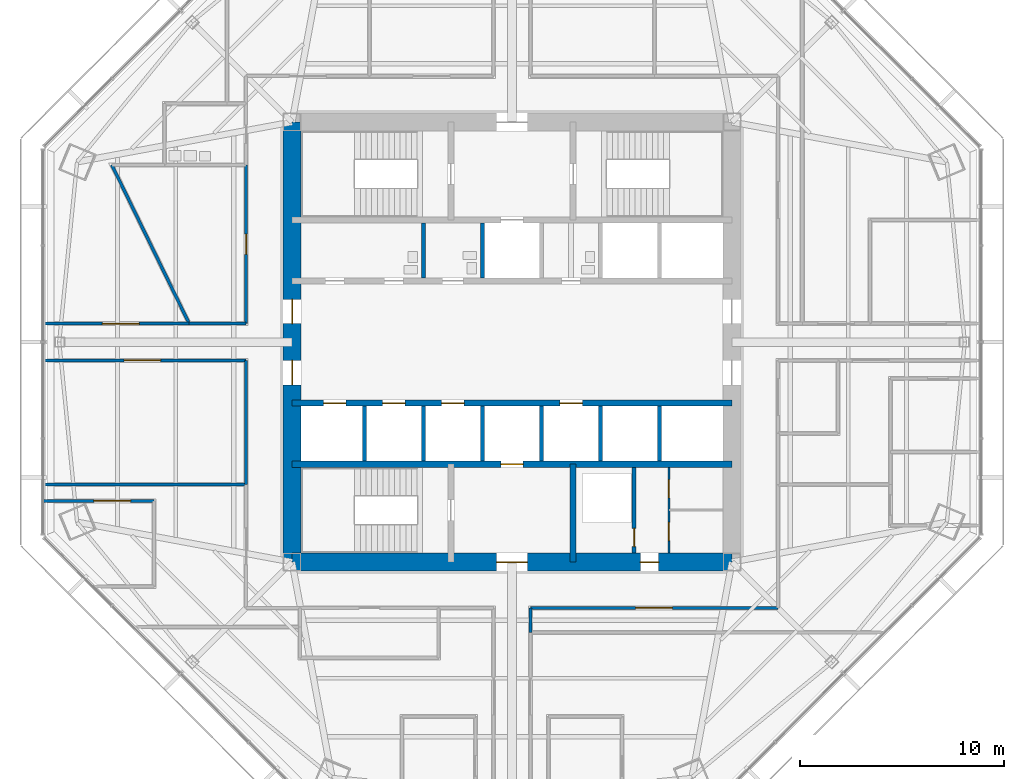
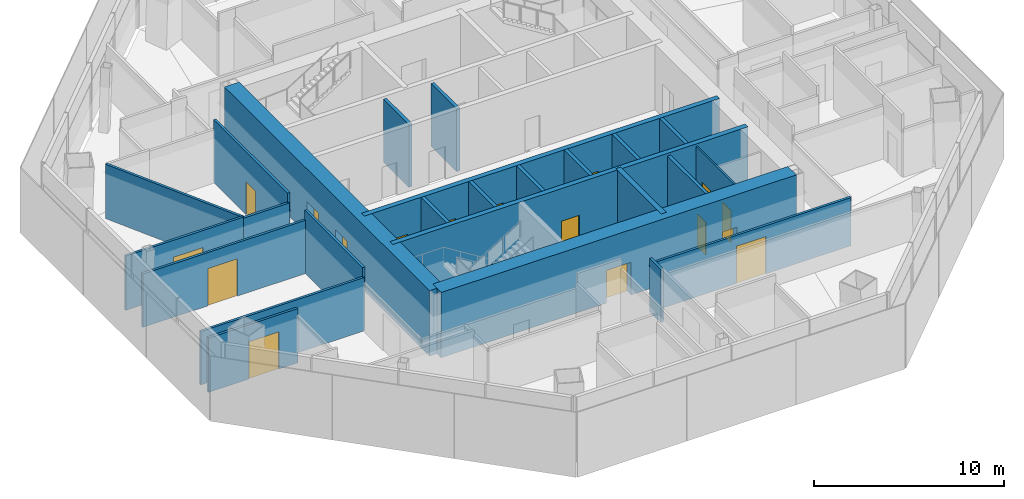
# One storey, part 9 of 15: 25 walls, 17 doors, 17 openings.
"""IFC4 building model written with IfcOpenShell, lengths in metres."""

from ifc_helpers import new_model, si_unit, direction, frame, frame_2d, origin, place, context, subcontext, project, spatial, rectangle, extrude, material, layer, layer_set, type_object, element, fill, save


model = new_model("IFC4")

# Units and contexts
model_context = context("Model", 3, precision=1e-05, world=origin(), true_north=direction((0.0, 1.0)))
body_context = subcontext(model_context, "Body", "Model", "MODEL_VIEW")
ifc_project = project(units=[si_unit("LENGTHUNIT", "METRE"), si_unit("AREAUNIT", "SQUARE_METRE"), si_unit("VOLUMEUNIT", "CUBIC_METRE"), si_unit("PLANEANGLEUNIT", "RADIAN"), si_unit("MASSUNIT", "GRAM", prefix="KILO")], contexts=[model_context])

# Site, building, storey
site_placement = place(None, origin())
site = spatial("IfcSite", under=ifc_project, at=site_placement, CompositionType="ELEMENT")
building_placement = place(site_placement, origin())
building = spatial("IfcBuilding", under=site, at=building_placement, Name="Mashrafa Tower", CompositionType="ELEMENT")
storey_placement = place(building_placement, frame((0.0, 0.0, 176.39990234375)))
storey = spatial("IfcBuildingStorey", under=building, at=storey_placement, Name="L40", CompositionType="ELEMENT", Elevation=176.39990234375)

# Wall, opening, door
ifc_material_1 = material(Name="Concrete masonry unit", Category="masonry")
ifc_layer_1 = layer(ifc_material_1, 0.199951171875)
ifc_layer_set_1 = layer_set([ifc_layer_1], Name="Blockwork wall 200 2 hr")
wall_type_1 = type_object("IfcWallType", Name="Blockwork wall 200 2 hr", PredefinedType="PARTITIONING", material=ifc_layer_set_1)
wall_1_placement = place(storey_placement, frame((6.0, -10.35009765625, 0.0), z_axis=(0.0, 0.0, 1.0), x_axis=(0.0, 1.0, 0.0)))
wall_1 = element("IfcWall", 1, at=wall_1_placement, inside=storey, type_object=wall_type_1, Name="Riser enclosure wall L40", PredefinedType="PARTITIONING", context=body_context, shape_type="SweptSolid", body=[
    extrude(rectangle(XDim=4.2001953125, YDim=0.199951171875, at=frame_2d((2.10009765625, 0.0))), origin(), (0.0, 0.0, 1.0), 4.03515625),
])
opening_1_placement = place(wall_1_placement, frame((0.300048828125, 0.0, 0.0)))
opening_1 = element("IfcOpeningElement", 2, at=opening_1_placement, cuts=wall_1, Name="Opening 40.034", PredefinedType="OPENING", context=body_context, shape_type="SweptSolid", body=[
    extrude(rectangle(XDim=0.89990234375, YDim=2.10009765625, at=frame_2d((0.449951171875, 1.050048828125))), frame((0.0, 0.10986328125, 0.0), z_axis=(0.0, -1.0, 0.0), x_axis=(1.0, 0.0, 0.0)), (0.0, 0.0, 1.0), 0.219970703125),
])
ifc_material_2 = material(Name="Steel door", Category="steel")
door_type_1 = type_object("IfcDoorType", Name="Service door 900 x 2100 90 min", OperationType="USERDEFINED", PredefinedType="DOOR", material=ifc_material_2)
door_1_placement = place(opening_1_placement, origin())
door_1 = element("IfcDoor", 3, at=door_1_placement, inside=storey, type_object=door_type_1, Name="Riser door L40", OperationType="SINGLE_SWING_LEFT", OverallHeight=2.10009765625, OverallWidth=0.89990234375, PredefinedType="DOOR", context=body_context, shape_type="SweptSolid", body=[
    extrude(rectangle(XDim=0.89990234375, YDim=2.10009765625, at=frame_2d((0.449951171875, 1.050048828125))), frame((0.0, 0.02490234375, 0.0), z_axis=(0.0, -1.0, 0.0), x_axis=(1.0, 0.0, 0.0)), (0.0, 0.0, 1.0), 0.050048828125),
])
fill(opening_1, door_1)

# Wall, openings, doors
ifc_material_3 = material(Name="Concrete C60/75", Category="concrete")
ifc_layer_2 = layer(ifc_material_3, 0.300048828125)
ifc_layer_set_2 = layer_set([ifc_layer_2], Name="Core wall 300 C60/75")
wall_type_2 = type_object("IfcWallType", Name="Core wall 300 C60/75", PredefinedType="SOLIDWALL", material=ifc_layer_set_2)
wall_2_placement = place(storey_placement, frame((-10.800048828125, -3.0, 0.0), z_axis=(0.0, 0.0, 1.0), x_axis=(1.0, 0.0, 0.0)))
wall_2 = element("IfcWall", 4, at=wall_2_placement, inside=storey, type_object=wall_type_2, Name="Core wall CH-S L40", PredefinedType="SOLIDWALL", context=body_context, shape_type="SweptSolid", body=[
    extrude(rectangle(XDim=21.60009765625, YDim=0.300048828125, at=frame_2d((10.800048828125, 0.0))), origin(), (0.0, 0.0, 1.0), 4.2001953125),
])
opening_2_placement = place(wall_2_placement, frame((1.550048828125, 0.0, 0.0)))
opening_2 = element("IfcOpeningElement", 5, at=opening_2_placement, cuts=wall_2, Name="Opening 40.B1", PredefinedType="OPENING", context=body_context, shape_type="SweptSolid", body=[
    extrude(rectangle(XDim=1.10009765625, YDim=2.10009765625, at=frame_2d((0.550048828125, 1.050048828125))), frame((0.0, 0.159912109375, 0.0), z_axis=(0.0, -1.0, 0.0), x_axis=(1.0, 0.0, 0.0)), (0.0, 0.0, 1.0), 0.320068359375),
])
opening_3_placement = place(wall_2_placement, frame((4.449951171875, 0.0, 0.0)))
opening_3 = element("IfcOpeningElement", 6, at=opening_3_placement, cuts=wall_2, Name="Opening 40.B2", PredefinedType="OPENING", context=body_context, shape_type="SweptSolid", body=[
    extrude(rectangle(XDim=1.10009765625, YDim=2.10009765625, at=frame_2d((0.550048828125, 1.050048828125))), frame((0.0, 0.159912109375, 0.0), z_axis=(0.0, -1.0, 0.0), x_axis=(1.0, 0.0, 0.0)), (0.0, 0.0, 1.0), 0.320068359375),
])
opening_4_placement = place(wall_2_placement, frame((7.35009765625, 0.0, 0.0)))
opening_4 = element("IfcOpeningElement", 7, at=opening_4_placement, cuts=wall_2, Name="Opening 40.B3", PredefinedType="OPENING", context=body_context, shape_type="SweptSolid", body=[
    extrude(rectangle(XDim=1.10009765625, YDim=2.10009765625, at=frame_2d((0.550048828125, 1.050048828125))), frame((0.0, 0.159912109375, 0.0), z_axis=(0.0, -1.0, 0.0), x_axis=(1.0, 0.0, 0.0)), (0.0, 0.0, 1.0), 0.320068359375),
])
opening_5_placement = place(wall_2_placement, frame((13.14990234375, 0.0, 0.0)))
opening_5 = element("IfcOpeningElement", 8, at=opening_5_placement, cuts=wall_2, Name="Opening 40.B4", PredefinedType="OPENING", context=body_context, shape_type="SweptSolid", body=[
    extrude(rectangle(XDim=1.10009765625, YDim=2.10009765625, at=frame_2d((0.550048828125, 1.050048828125))), frame((0.0, 0.159912109375, 0.0), z_axis=(0.0, -1.0, 0.0), x_axis=(1.0, 0.0, 0.0)), (0.0, 0.0, 1.0), 0.320068359375),
])
ifc_material_4 = material(Name="Steel door", Category="steel")
door_type_2 = type_object("IfcDoorType", Name="Lift landing door 1100 x 2100 90 min", OperationType="DOUBLE_DOOR_SLIDING", PredefinedType="DOOR", material=ifc_material_4)
door_2_placement = place(opening_2_placement, origin())
door_2 = element("IfcDoor", 9, at=door_2_placement, inside=storey, type_object=door_type_2, Name="Lift landing door B1 L40", OperationType="DOUBLE_DOOR_SLIDING", OverallHeight=2.10009765625, OverallWidth=1.10009765625, PredefinedType="DOOR", context=body_context, shape_type="SweptSolid", body=[
    extrude(rectangle(XDim=1.10009765625, YDim=2.10009765625, at=frame_2d((0.550048828125, 1.050048828125))), frame((0.0, 0.02490234375, 0.0), z_axis=(0.0, -1.0, 0.0), x_axis=(1.0, 0.0, 0.0)), (0.0, 0.0, 1.0), 0.050048828125),
])
fill(opening_2, door_2)
door_3_placement = place(opening_3_placement, origin())
door_3 = element("IfcDoor", 10, at=door_3_placement, inside=storey, type_object=door_type_2, Name="Lift landing door B2 L40", OperationType="DOUBLE_DOOR_SLIDING", OverallHeight=2.10009765625, OverallWidth=1.10009765625, PredefinedType="DOOR", context=body_context, shape_type="SweptSolid", body=[
    extrude(rectangle(XDim=1.10009765625, YDim=2.10009765625, at=frame_2d((0.550048828125, 1.050048828125))), frame((0.0, 0.02490234375, 0.0), z_axis=(0.0, -1.0, 0.0), x_axis=(1.0, 0.0, 0.0)), (0.0, 0.0, 1.0), 0.050048828125),
])
fill(opening_3, door_3)
door_4_placement = place(opening_4_placement, origin())
door_4 = element("IfcDoor", 11, at=door_4_placement, inside=storey, type_object=door_type_2, Name="Lift landing door B3 L40", OperationType="DOUBLE_DOOR_SLIDING", OverallHeight=2.10009765625, OverallWidth=1.10009765625, PredefinedType="DOOR", context=body_context, shape_type="SweptSolid", body=[
    extrude(rectangle(XDim=1.10009765625, YDim=2.10009765625, at=frame_2d((0.550048828125, 1.050048828125))), frame((0.0, 0.02490234375, 0.0), z_axis=(0.0, -1.0, 0.0), x_axis=(1.0, 0.0, 0.0)), (0.0, 0.0, 1.0), 0.050048828125),
])
fill(opening_4, door_4)
door_5_placement = place(opening_5_placement, origin())
door_5 = element("IfcDoor", 12, at=door_5_placement, inside=storey, type_object=door_type_2, Name="Lift landing door B4 L40", OperationType="DOUBLE_DOOR_SLIDING", OverallHeight=2.10009765625, OverallWidth=1.10009765625, PredefinedType="DOOR", context=body_context, shape_type="SweptSolid", body=[
    extrude(rectangle(XDim=1.10009765625, YDim=2.10009765625, at=frame_2d((0.550048828125, 1.050048828125))), frame((0.0, 0.02490234375, 0.0), z_axis=(0.0, -1.0, 0.0), x_axis=(1.0, 0.0, 0.0)), (0.0, 0.0, 1.0), 0.050048828125),
])
fill(opening_5, door_5)

# Wall, opening, door
wall_3_placement = place(storey_placement, frame((-10.800048828125, -6.0, 0.0), z_axis=(0.0, 0.0, 1.0), x_axis=(1.0, 0.0, 0.0)))
wall_3 = element("IfcWall", 13, at=wall_3_placement, inside=storey, type_object=wall_type_2, Name="Core wall CB-S L40", PredefinedType="SOLIDWALL", context=body_context, shape_type="SweptSolid", body=[
    extrude(rectangle(XDim=21.60009765625, YDim=0.300048828125, at=frame_2d((10.800048828125, 0.0))), origin(), (0.0, 0.0, 1.0), 4.2001953125),
])
opening_6_placement = place(wall_3_placement, frame((10.25, 0.0, 0.0)))
opening_6 = element("IfcOpeningElement", 14, at=opening_6_placement, cuts=wall_3, Name="Opening 40.F2", PredefinedType="OPENING", context=body_context, shape_type="SweptSolid", body=[
    extrude(rectangle(XDim=1.10009765625, YDim=2.10009765625, at=frame_2d((0.550048828125, 1.050048828125))), frame((0.0, 0.159912109375, 0.0), z_axis=(0.0, -1.0, 0.0), x_axis=(1.0, 0.0, 0.0)), (0.0, 0.0, 1.0), 0.320068359375),
])
door_6_placement = place(opening_6_placement, origin())
door_6 = element("IfcDoor", 15, at=door_6_placement, inside=storey, type_object=door_type_2, Name="Lift landing door F2 L40", OperationType="DOUBLE_DOOR_SLIDING", OverallHeight=2.10009765625, OverallWidth=1.10009765625, PredefinedType="DOOR", context=body_context, shape_type="SweptSolid", body=[
    extrude(rectangle(XDim=1.10009765625, YDim=2.10009765625, at=frame_2d((0.550048828125, 1.050048828125))), frame((0.0, 0.02490234375, 0.0), z_axis=(0.0, -1.0, 0.0), x_axis=(1.0, 0.0, 0.0)), (0.0, 0.0, 1.0), 0.050048828125),
])
fill(opening_6, door_6)

# Wall
wall_4_placement = place(storey_placement, frame((3.0, -6.0, 0.0), z_axis=(0.0, 0.0, 1.0), x_axis=(0.0, -1.0, 0.0)))
element("IfcWall", 16, at=wall_4_placement, inside=storey, type_object=wall_type_2, Name="Core wall CX-SE L40", PredefinedType="SOLIDWALL", context=body_context, shape_type="SweptSolid", body=[
    extrude(rectangle(XDim=4.800048828125, YDim=0.300048828125, at=frame_2d((2.39990234375, 0.0))), origin(), (0.0, 0.0, 1.0), 4.2001953125),
])

# Wall, openings, doors
ifc_material_5 = material(Name="Concrete C60/75", Category="concrete")
ifc_layer_3 = layer(ifc_material_5, 0.89990234375)
ifc_layer_set_3 = layer_set([ifc_layer_3], Name="Core wall 900 C60/75")
wall_type_3 = type_object("IfcWallType", Name="Core wall 900 C60/75", PredefinedType="SOLIDWALL", material=ifc_layer_set_3)
wall_5_placement = place(storey_placement, frame((-10.800048828125, -10.800048828125, 0.0), z_axis=(0.0, 0.0, 1.0), x_axis=(1.0, 0.0, 0.0)))
wall_5 = element("IfcWall", 17, at=wall_5_placement, inside=storey, type_object=wall_type_3, Name="Core wall CW-S L40", PredefinedType="SOLIDWALL", context=body_context, shape_type="SweptSolid", body=[
    extrude(rectangle(XDim=21.60009765625, YDim=0.89990234375, at=frame_2d((10.800048828125, 0.0))), origin(), (0.0, 0.0, 1.0), 4.2001953125),
])
opening_7_placement = place(wall_5_placement, frame((10.050048828125, 0.0, 0.0)))
opening_7 = element("IfcOpeningElement", 18, at=opening_7_placement, cuts=wall_5, Name="Opening 40.029", PredefinedType="OPENING", context=body_context, shape_type="SweptSolid", body=[
    extrude(rectangle(XDim=1.5, YDim=2.10009765625, at=frame_2d((0.75, 1.050048828125))), frame((0.0, 0.4599609375, 0.0), z_axis=(0.0, -1.0, 0.0), x_axis=(1.0, 0.0, 0.0)), (0.0, 0.0, 1.0), 0.919921875),
])
opening_8_placement = place(wall_5_placement, frame((17.10009765625, 0.0, 0.0)))
opening_8 = element("IfcOpeningElement", 19, at=opening_8_placement, cuts=wall_5, Name="Opening 40.033", PredefinedType="OPENING", context=body_context, shape_type="SweptSolid", body=[
    extrude(rectangle(XDim=0.89990234375, YDim=2.10009765625, at=frame_2d((0.449951171875, 1.050048828125))), frame((0.0, 0.4599609375, 0.0), z_axis=(0.0, -1.0, 0.0), x_axis=(1.0, 0.0, 0.0)), (0.0, 0.0, 1.0), 0.919921875),
])
ifc_material_6 = material(Name="Steel door", Category="steel")
door_type_3 = type_object("IfcDoorType", Name="Lobby door pair 1500 x 2100 90 min", OperationType="DOUBLE_DOOR_SINGLE_SWING", PredefinedType="DOOR", material=ifc_material_6)
door_7_placement = place(opening_7_placement, origin())
door_7 = element("IfcDoor", 20, at=door_7_placement, inside=storey, type_object=door_type_3, Name="Fire-fighting lobby F2 door L40", OperationType="DOUBLE_DOOR_SINGLE_SWING", OverallHeight=2.10009765625, OverallWidth=1.5, PredefinedType="DOOR", context=body_context, shape_type="SweptSolid", body=[
    extrude(rectangle(XDim=1.5, YDim=2.10009765625, at=frame_2d((0.75, 1.050048828125))), frame((0.0, 0.02490234375, 0.0), z_axis=(0.0, -1.0, 0.0), x_axis=(1.0, 0.0, 0.0)), (0.0, 0.0, 1.0), 0.050048828125),
])
fill(opening_7, door_7)
door_8_placement = place(opening_8_placement, frame((0.89990234375, 0.0, 0.0), z_axis=(0.0, 0.0, 1.0), x_axis=(-1.0, 0.0, 0.0)))
door_8 = element("IfcDoor", 21, at=door_8_placement, inside=storey, type_object=door_type_1, Name="Services Lobby L40 door", OperationType="SINGLE_SWING_LEFT", OverallHeight=2.10009765625, OverallWidth=0.89990234375, PredefinedType="DOOR", context=body_context, shape_type="SweptSolid", body=[
    extrude(rectangle(XDim=0.89990234375, YDim=2.10009765625, at=frame_2d((0.449951171875, 1.050048828125))), frame((0.0, 0.02490234375, 0.0), z_axis=(0.0, -1.0, 0.0), x_axis=(1.0, 0.0, 0.0)), (0.0, 0.0, 1.0), 0.050048828125),
])
fill(opening_8, door_8)

wall_6_placement = place(storey_placement, frame((-10.800048828125, 10.800048828125, 0.0), z_axis=(0.0, 0.0, 1.0), x_axis=(0.0, -1.0, 0.0)))
wall_6 = element("IfcWall", 22, at=wall_6_placement, inside=storey, type_object=wall_type_3, Name="Core wall CW-W L40", PredefinedType="SOLIDWALL", context=body_context, shape_type="SweptSolid", body=[
    extrude(rectangle(XDim=21.60009765625, YDim=0.89990234375, at=frame_2d((10.800048828125, 0.0))), origin(), (0.0, 0.0, 1.0), 4.2001953125),
])
opening_9_placement = place(wall_6_placement, frame((8.699951171875, 0.0, 0.0)))
opening_9 = element("IfcOpeningElement", 23, at=opening_9_placement, cuts=wall_6, Name="Opening 40.025", PredefinedType="OPENING", context=body_context, shape_type="SweptSolid", body=[
    extrude(rectangle(XDim=1.199951171875, YDim=2.10009765625, at=frame_2d((0.60009765625, 1.050048828125))), frame((0.0, 0.4599609375, 0.0), z_axis=(0.0, -1.0, 0.0), x_axis=(1.0, 0.0, 0.0)), (0.0, 0.0, 1.0), 0.919921875),
])
opening_10_placement = place(wall_6_placement, frame((11.699951171875, 0.0, 0.0)))
opening_10 = element("IfcOpeningElement", 24, at=opening_10_placement, cuts=wall_6, Name="Opening 40.027", PredefinedType="OPENING", context=body_context, shape_type="SweptSolid", body=[
    extrude(rectangle(XDim=1.199951171875, YDim=2.10009765625, at=frame_2d((0.60009765625, 1.050048828125))), frame((0.0, 0.4599609375, 0.0), z_axis=(0.0, -1.0, 0.0), x_axis=(1.0, 0.0, 0.0)), (0.0, 0.0, 1.0), 0.919921875),
])
ifc_material_7 = material(Name="Steel door", Category="steel")
door_type_4 = type_object("IfcDoorType", Name="Lift hall door 1200 x 2100 90 min", OperationType="USERDEFINED", PredefinedType="DOOR", material=ifc_material_7)
door_9_placement = place(opening_9_placement, frame((1.199951171875, 0.0, 0.0), z_axis=(0.0, 0.0, 1.0), x_axis=(-1.0, 0.0, 0.0)))
door_9 = element("IfcDoor", 25, at=door_9_placement, inside=storey, type_object=door_type_4, Name="Lift hall door west L40", OperationType="SINGLE_SWING_RIGHT", OverallHeight=2.10009765625, OverallWidth=1.199951171875, PredefinedType="DOOR", context=body_context, shape_type="SweptSolid", body=[
    extrude(rectangle(XDim=1.199951171875, YDim=2.10009765625, at=frame_2d((0.60009765625, 1.050048828125))), frame((0.0, 0.02490234375, 0.0), z_axis=(0.0, -1.0, 0.0), x_axis=(1.0, 0.0, 0.0)), (0.0, 0.0, 1.0), 0.050048828125),
])
fill(opening_9, door_9)
door_10_placement = place(opening_10_placement, frame((1.199951171875, 0.0, 0.0), z_axis=(0.0, 0.0, 1.0), x_axis=(-1.0, 0.0, 0.0)))
door_10 = element("IfcDoor", 26, at=door_10_placement, inside=storey, type_object=door_type_4, Name="Lift hall door west L40", OperationType="SINGLE_SWING_LEFT", OverallHeight=2.10009765625, OverallWidth=1.199951171875, PredefinedType="DOOR", context=body_context, shape_type="SweptSolid", body=[
    extrude(rectangle(XDim=1.199951171875, YDim=2.10009765625, at=frame_2d((0.60009765625, 1.050048828125))), frame((0.0, 0.02490234375, 0.0), z_axis=(0.0, -1.0, 0.0), x_axis=(1.0, 0.0, 0.0)), (0.0, 0.0, 1.0), 0.050048828125),
])
fill(opening_10, door_10)

# Wall, opening, door
ifc_material_8 = material(Name="Gypsum board on steel studs", Category="steel")
ifc_layer_4 = layer(ifc_material_8, 0.14990234375)
ifc_layer_set_4 = layer_set([ifc_layer_4], Name="Corridor partition 150 1 hr")
wall_type_4 = type_object("IfcWallType", Name="Corridor partition 150 1 hr", PredefinedType="PARTITIONING", material=ifc_layer_set_4)
wall_7_placement = place(storey_placement, frame((-13.050048828125, 8.700927734375, 0.0), z_axis=(0.0, 0.0, 1.0), x_axis=(0.0, -1.0, 0.0)))
wall_7 = element("IfcWall", 27, at=wall_7_placement, inside=storey, type_object=wall_type_4, Name="Corridor wall L40-001", PredefinedType="PARTITIONING", context=body_context, shape_type="SweptSolid", body=[
    extrude(rectangle(XDim=7.801025390625, YDim=0.14990234375, at=frame_2d((3.900390625, 0.0))), origin(), (0.0, 0.0, 1.0), 4.03515625),
])
opening_11_placement = place(wall_7_placement, frame((3.400390625, 0.0, 0.0)))
opening_11 = element("IfcOpeningElement", 28, at=opening_11_placement, cuts=wall_7, Name="Opening 40.001", PredefinedType="OPENING", context=body_context, shape_type="SweptSolid", body=[
    extrude(rectangle(XDim=1.0, YDim=2.10009765625, at=frame_2d((0.5, 1.050048828125))), frame((0.0, 0.0849609375, 0.0), z_axis=(0.0, -1.0, 0.0), x_axis=(1.0, 0.0, 0.0)), (0.0, 0.0, 1.0), 0.169921875),
])
ifc_material_9 = material(Name="Timber door", Category="wood")
door_type_5 = type_object("IfcDoorType", Name="Door 1000 x 2100", OperationType="USERDEFINED", PredefinedType="DOOR", material=ifc_material_9)
door_11_placement = place(opening_11_placement, frame((1.0, 0.0, 0.0), z_axis=(0.0, 0.0, 1.0), x_axis=(-1.0, 0.0, 0.0)))
door_11 = element("IfcDoor", 29, at=door_11_placement, inside=storey, type_object=door_type_5, Name="Musallah Prayer Room 40 door", OperationType="SINGLE_SWING_LEFT", OverallHeight=2.10009765625, OverallWidth=1.0, PredefinedType="DOOR", context=body_context, shape_type="SweptSolid", body=[
    extrude(rectangle(XDim=1.0, YDim=2.10009765625, at=frame_2d((0.5, 1.050048828125))), frame((0.0, 0.02490234375, 0.0), z_axis=(0.0, -1.0, 0.0), x_axis=(1.0, 0.0, 0.0)), (0.0, 0.0, 1.0), 0.050048828125),
])
fill(opening_11, door_11)

# Wall
wall_8_placement = place(storey_placement, frame((-13.050048828125, 0.89990234375, 0.0), z_axis=(0.0, 0.0, 1.0), x_axis=(-1.0, 0.0, 0.0)))
element("IfcWall", 30, at=wall_8_placement, inside=storey, type_object=wall_type_4, Name="Corridor wall L40-002", PredefinedType="PARTITIONING", context=body_context, shape_type="SweptSolid", body=[
    extrude(rectangle(XDim=2.796630859375, YDim=0.14990234375, at=frame_2d((1.3984375, 0.0))), origin(), (0.0, 0.0, 1.0), 3.42578125),
])

# Wall, opening, door
wall_9_placement = place(storey_placement, frame((-15.844482421875, 0.89990234375, 0.0), z_axis=(0.0, 0.0, 1.0), x_axis=(-1.0, 0.0, 0.0)))
wall_9 = element("IfcWall", 31, at=wall_9_placement, inside=storey, type_object=wall_type_4, Name="Corridor wall L40-015", PredefinedType="PARTITIONING", context=body_context, shape_type="SweptSolid", body=[
    extrude(rectangle(XDim=7.1640625, YDim=0.14990234375, at=frame_2d((3.58203125, 0.0))), origin(), (0.0, 0.0, 1.0), 3.49169921875),
])
opening_12_placement = place(wall_9_placement, frame((2.465087890625, 0.0, 0.0)))
opening_12 = element("IfcOpeningElement", 32, at=opening_12_placement, cuts=wall_9, Name="Opening 40.015", PredefinedType="OPENING", context=body_context, shape_type="SweptSolid", body=[
    extrude(rectangle(XDim=1.800048828125, YDim=2.39990234375, at=frame_2d((0.89990234375, 1.199951171875))), frame((0.0, 0.0849609375, 0.0), z_axis=(0.0, -1.0, 0.0), x_axis=(1.0, 0.0, 0.0)), (0.0, 0.0, 1.0), 0.169921875),
])
ifc_material_10 = material(Name="Timber door", Category="wood")
door_type_6 = type_object("IfcDoorType", Name="Door pair 1800 x 2400", OperationType="DOUBLE_DOOR_SINGLE_SWING", PredefinedType="DOOR", material=ifc_material_10)
door_12_placement = place(opening_12_placement, frame((1.800048828125, 0.0, 0.0), z_axis=(0.0, 0.0, 1.0), x_axis=(-1.0, 0.0, 0.0)))
door_12 = element("IfcDoor", 33, at=door_12_placement, inside=storey, type_object=door_type_6, Name="Board Secretariat Office 40-NW3 door", OperationType="DOUBLE_DOOR_SINGLE_SWING", OverallHeight=2.39990234375, OverallWidth=1.800048828125, PredefinedType="DOOR", context=body_context, shape_type="SweptSolid", body=[
    extrude(rectangle(XDim=1.800048828125, YDim=2.39990234375, at=frame_2d((0.89990234375, 1.199951171875))), frame((0.0, 0.02490234375, 0.0), z_axis=(0.0, -1.0, 0.0), x_axis=(1.0, 0.0, 0.0)), (0.0, 0.0, 1.0), 0.050048828125),
])
fill(opening_12, door_12)

wall_10_placement = place(storey_placement, frame((-23.008544921875, -0.89990234375, 0.0), z_axis=(0.0, 0.0, 1.0), x_axis=(1.0, 0.0, 0.0)))
wall_10 = element("IfcWall", 34, at=wall_10_placement, inside=storey, type_object=wall_type_4, Name="Corridor wall L40-024", PredefinedType="PARTITIONING", context=body_context, shape_type="SweptSolid", body=[
    extrude(rectangle(XDim=9.95849609375, YDim=0.14990234375, at=frame_2d((4.979248046875, 0.0))), origin(), (0.0, 0.0, 1.0), 3.42578125),
])
opening_13_placement = place(wall_10_placement, frame((3.961181640625, 0.0, 0.0)))
opening_13 = element("IfcOpeningElement", 35, at=opening_13_placement, cuts=wall_10, Name="Opening 40.020", PredefinedType="OPENING", context=body_context, shape_type="SweptSolid", body=[
    extrude(rectangle(XDim=1.800048828125, YDim=2.39990234375, at=frame_2d((0.89990234375, 1.199951171875))), frame((0.0, 0.0849609375, 0.0), z_axis=(0.0, -1.0, 0.0), x_axis=(1.0, 0.0, 0.0)), (0.0, 0.0, 1.0), 0.169921875),
])
door_13_placement = place(opening_13_placement, frame((1.800048828125, 0.0, 0.0), z_axis=(0.0, 0.0, 1.0), x_axis=(-1.0, 0.0, 0.0)))
door_13 = element("IfcDoor", 36, at=door_13_placement, inside=storey, type_object=door_type_6, Name="General Counsel's Office 40-SW1 door", OperationType="DOUBLE_DOOR_SINGLE_SWING", OverallHeight=2.39990234375, OverallWidth=1.800048828125, PredefinedType="DOOR", context=body_context, shape_type="SweptSolid", body=[
    extrude(rectangle(XDim=1.800048828125, YDim=2.39990234375, at=frame_2d((0.89990234375, 1.199951171875))), frame((0.0, 0.02490234375, 0.0), z_axis=(0.0, -1.0, 0.0), x_axis=(1.0, 0.0, 0.0)), (0.0, 0.0, 1.0), 0.050048828125),
])
fill(opening_13, door_13)

# Walls
wall_11_placement = place(storey_placement, frame((-13.050048828125, -0.89990234375, 0.0), z_axis=(0.0, 0.0, 1.0), x_axis=(0.0, -1.0, 0.0)))
element("IfcWall", 37, at=wall_11_placement, inside=storey, type_object=wall_type_4, Name="Corridor wall L40-025", PredefinedType="PARTITIONING", context=body_context, shape_type="SweptSolid", body=[
    extrude(rectangle(XDim=6.10107421875, YDim=0.14990234375, at=frame_2d((3.050537109375, 0.0))), origin(), (0.0, 0.0, 1.0), 4.03515625),
])
wall_12_placement = place(storey_placement, frame((0.89990234375, -14.2509765625, 0.0), z_axis=(0.0, 0.0, 1.0), x_axis=(0.0, 1.0, 0.0)))
element("IfcWall", 38, at=wall_12_placement, inside=storey, type_object=wall_type_4, Name="Corridor wall L40-027", PredefinedType="PARTITIONING", context=body_context, shape_type="SweptSolid", body=[
    extrude(rectangle(XDim=1.200927734375, YDim=0.14990234375, at=frame_2d((0.6005859375, 0.0))), origin(), (0.0, 0.0, 1.0), 3.42578125),
])

# Wall, opening, door
wall_13_placement = place(storey_placement, frame((0.89990234375, -13.050048828125, 0.0), z_axis=(0.0, 0.0, 1.0), x_axis=(1.0, 0.0, 0.0)))
wall_13 = element("IfcWall", 39, at=wall_13_placement, inside=storey, type_object=wall_type_4, Name="Corridor wall L40-028", PredefinedType="PARTITIONING", context=body_context, shape_type="SweptSolid", body=[
    extrude(rectangle(XDim=12.150146484375, YDim=0.14990234375, at=frame_2d((6.0751953125, 0.0))), origin(), (0.0, 0.0, 1.0), 3.097900390625),
])
opening_14_placement = place(wall_13_placement, frame((5.175048828125, 0.0, 0.0)))
opening_14 = element("IfcOpeningElement", 40, at=opening_14_placement, cuts=wall_13, Name="Opening 40.022", PredefinedType="OPENING", context=body_context, shape_type="SweptSolid", body=[
    extrude(rectangle(XDim=1.800048828125, YDim=2.39990234375, at=frame_2d((0.89990234375, 1.199951171875))), frame((0.0, 0.0849609375, 0.0), z_axis=(0.0, -1.0, 0.0), x_axis=(1.0, 0.0, 0.0)), (0.0, 0.0, 1.0), 0.169921875),
])
door_14_placement = place(opening_14_placement, frame((1.800048828125, 0.0, 0.0), z_axis=(0.0, 0.0, 1.0), x_axis=(-1.0, 0.0, 0.0)))
door_14 = element("IfcDoor", 41, at=door_14_placement, inside=storey, type_object=door_type_6, Name="Corporate Affairs Office 40-SE2 door", OperationType="DOUBLE_DOOR_SINGLE_SWING", OverallHeight=2.39990234375, OverallWidth=1.800048828125, PredefinedType="DOOR", context=body_context, shape_type="SweptSolid", body=[
    extrude(rectangle(XDim=1.800048828125, YDim=2.39990234375, at=frame_2d((0.89990234375, 1.199951171875))), frame((0.0, 0.02490234375, 0.0), z_axis=(0.0, -1.0, 0.0), x_axis=(1.0, 0.0, 0.0)), (0.0, 0.0, 1.0), 0.050048828125),
])
fill(opening_14, door_14)

# Wall, openings, doors
ifc_material_11 = material(Name="Gypsum board on steel studs", Category="steel")
ifc_layer_5 = layer(ifc_material_11, 0.10009765625)
ifc_layer_set_5 = layer_set([ifc_layer_5], Name="Partition 100 1 hr")
wall_type_5 = type_object("IfcWallType", Name="Partition 100 1 hr", PredefinedType="PARTITIONING", material=ifc_layer_set_5)
wall_14_placement = place(storey_placement, frame((7.699951171875, -10.35009765625, 0.0), z_axis=(0.0, 0.0, 1.0), x_axis=(0.0, 1.0, 0.0)))
wall_14 = element("IfcWall", 42, at=wall_14_placement, inside=storey, type_object=wall_type_5, Name="Services lobby partition A L40", PredefinedType="PARTITIONING", context=body_context, shape_type="SweptSolid", body=[
    extrude(rectangle(XDim=4.2001953125, YDim=0.10009765625, at=frame_2d((2.10009765625, 0.0))), origin(), (0.0, 0.0, 1.0), 4.03515625),
])
opening_15_placement = place(wall_14_placement, frame((2.699951171875, 0.0, 0.0)))
opening_15 = element("IfcOpeningElement", 43, at=opening_15_placement, cuts=wall_14, Name="Opening 40.035", PredefinedType="OPENING", context=body_context, shape_type="SweptSolid", body=[
    extrude(rectangle(XDim=0.89990234375, YDim=2.10009765625, at=frame_2d((0.449951171875, 1.050048828125))), frame((0.0, 0.06005859375, 0.0), z_axis=(0.0, -1.0, 0.0), x_axis=(1.0, 0.0, 0.0)), (0.0, 0.0, 1.0), 0.1201171875),
])
opening_16_placement = place(wall_14_placement, frame((0.60009765625, 0.0, 0.0)))
opening_16 = element("IfcOpeningElement", 44, at=opening_16_placement, cuts=wall_14, Name="Opening 40.036", PredefinedType="OPENING", context=body_context, shape_type="SweptSolid", body=[
    extrude(rectangle(XDim=0.89990234375, YDim=2.10009765625, at=frame_2d((0.449951171875, 1.050048828125))), frame((0.0, 0.06005859375, 0.0), z_axis=(0.0, -1.0, 0.0), x_axis=(1.0, 0.0, 0.0)), (0.0, 0.0, 1.0), 0.1201171875),
])
ifc_material_12 = material(Name="Timber door", Category="wood")
door_type_7 = type_object("IfcDoorType", Name="Store door 900 x 2100", OperationType="USERDEFINED", PredefinedType="DOOR", material=ifc_material_12)
door_15_placement = place(opening_15_placement, frame((0.89990234375, 0.0, 0.0), z_axis=(0.0, 0.0, 1.0), x_axis=(-1.0, 0.0, 0.0)))
door_15 = element("IfcDoor", 45, at=door_15_placement, inside=storey, type_object=door_type_7, Name="Communications Room L40 door", OperationType="SINGLE_SWING_RIGHT", OverallHeight=2.10009765625, OverallWidth=0.89990234375, PredefinedType="DOOR", context=body_context, shape_type="SweptSolid", body=[
    extrude(rectangle(XDim=0.89990234375, YDim=2.10009765625, at=frame_2d((0.449951171875, 1.050048828125))), frame((0.0, 0.02490234375, 0.0), z_axis=(0.0, -1.0, 0.0), x_axis=(1.0, 0.0, 0.0)), (0.0, 0.0, 1.0), 0.050048828125),
])
fill(opening_15, door_15)
door_16_placement = place(opening_16_placement, frame((0.89990234375, 0.0, 0.0), z_axis=(0.0, 0.0, 1.0), x_axis=(-1.0, 0.0, 0.0)))
door_16 = element("IfcDoor", 46, at=door_16_placement, inside=storey, type_object=door_type_7, Name="Cleaner's Store L40 door", OperationType="SINGLE_SWING_LEFT", OverallHeight=2.10009765625, OverallWidth=0.89990234375, PredefinedType="DOOR", context=body_context, shape_type="SweptSolid", body=[
    extrude(rectangle(XDim=0.89990234375, YDim=2.10009765625, at=frame_2d((0.449951171875, 1.050048828125))), frame((0.0, 0.02490234375, 0.0), z_axis=(0.0, -1.0, 0.0), x_axis=(1.0, 0.0, 0.0)), (0.0, 0.0, 1.0), 0.050048828125),
])
fill(opening_16, door_16)

# Wall
ifc_material_13 = material(Name="Gypsum board on steel studs", Category="steel")
ifc_layer_6 = layer(ifc_material_13, 0.14990234375)
ifc_layer_set_6 = layer_set([ifc_layer_6], Name="Partition 150")
wall_type_6 = type_object("IfcWallType", Name="Partition 150", PredefinedType="PARTITIONING", material=ifc_layer_set_6)
wall_15_placement = place(storey_placement, frame((-19.64990234375, 8.699951171875, 0.0), z_axis=(0.0, 0.0, 1.0), x_axis=(0.438358227548, -0.898800347319, 0.0)))
element("IfcWall", 47, at=wall_15_placement, inside=storey, type_object=wall_type_6, Name="Partition wall L40-034", PredefinedType="PARTITIONING", context=body_context, shape_type="SweptSolid", body=[
    extrude(rectangle(XDim=8.67822265625, YDim=0.14990234375, at=frame_2d((4.339111328125, 0.0))), origin(), (0.0, 0.0, 1.0), 3.49169921875),
])

# Wall, opening, door
wall_16_placement = place(storey_placement, frame((-17.57470703125, -7.800048828125, 0.0), z_axis=(0.0, 0.0, 1.0), x_axis=(-1.0, 0.0, 0.0)))
wall_16 = element("IfcWall", 48, at=wall_16_placement, inside=storey, type_object=wall_type_6, Name="Partition wall L40-046", PredefinedType="PARTITIONING", context=body_context, shape_type="SweptSolid", body=[
    extrude(rectangle(XDim=5.433837890625, YDim=0.14990234375, at=frame_2d((2.716796875, 0.0))), origin(), (0.0, 0.0, 1.0), 3.49169921875),
])
opening_17_placement = place(wall_16_placement, frame((1.14990234375, 0.0, 0.0)))
opening_17 = element("IfcOpeningElement", 49, at=opening_17_placement, cuts=wall_16, Name="Opening 40.005", PredefinedType="OPENING", context=body_context, shape_type="SweptSolid", body=[
    extrude(rectangle(XDim=1.800048828125, YDim=2.39990234375, at=frame_2d((0.89990234375, 1.199951171875))), frame((0.0, 0.0849609375, 0.0), z_axis=(0.0, -1.0, 0.0), x_axis=(1.0, 0.0, 0.0)), (0.0, 0.0, 1.0), 0.169921875),
])
door_17_placement = place(opening_17_placement, origin())
door_17 = element("IfcDoor", 50, at=door_17_placement, inside=storey, type_object=door_type_6, Name="Executive Dining Room 40-SW2 door", OperationType="DOUBLE_DOOR_SINGLE_SWING", OverallHeight=2.39990234375, OverallWidth=1.800048828125, PredefinedType="DOOR", context=body_context, shape_type="SweptSolid", body=[
    extrude(rectangle(XDim=1.800048828125, YDim=2.39990234375, at=frame_2d((0.89990234375, 1.199951171875))), frame((0.0, 0.02490234375, 0.0), z_axis=(0.0, -1.0, 0.0), x_axis=(1.0, 0.0, 0.0)), (0.0, 0.0, 1.0), 0.050048828125),
])
fill(opening_17, door_17)

# Walls
wall_17_placement = place(storey_placement, frame((-13.050048828125, -7.0, 0.0), z_axis=(0.0, 0.0, 1.0), x_axis=(-1.0, 0.0, 0.0)))
element("IfcWall", 51, at=wall_17_placement, inside=storey, type_object=wall_type_6, Name="Partition wall L40-071", PredefinedType="PARTITIONING", context=body_context, shape_type="SweptSolid", body=[
    extrude(rectangle(XDim=9.95654296875, YDim=0.14990234375, at=frame_2d((4.978271484375, 0.0))), origin(), (0.0, 0.0, 1.0), 3.42578125),
])
ifc_material_14 = material(Name="Gypsum shaft wall on steel studs", Category="steel")
ifc_layer_7 = layer(ifc_material_14, 0.199951171875)
ifc_layer_set_7 = layer_set([ifc_layer_7], Name="Shaft divider wall 200 2 hr")
wall_type_7 = type_object("IfcWallType", Name="Shaft divider wall 200 2 hr", PredefinedType="PARTITIONING", material=ifc_layer_set_7)
for number, where, z_axis, x_axis, name in (
    (52, (-4.35009765625, 3.14990234375, 0.0), (0.0, 0.0, 1.0), (0.0, 1.0, 0.0), "Shaft divider wall N2 L40"),
    (53, (-1.449951171875, 3.14990234375, 0.0), (0.0, 0.0, 1.0), (0.0, 1.0, 0.0), "Shaft divider wall N3 L40"),
):
    element("IfcWall", number, at=place(storey_placement, frame(where, z_axis=z_axis, x_axis=x_axis)), inside=storey, type_object=wall_type_7, Name=name, PredefinedType="PARTITIONING", context=body_context, shape_type="SweptSolid", body=[
        extrude(rectangle(XDim=2.7001953125, YDim=0.199951171875, at=frame_2d((1.35009765625, 0.0))), origin(), (0.0, 0.0, 1.0), 4.03515625),
    ])
for number, where, z_axis, x_axis, name in (
    (54, (-7.25, -5.85009765625, 0.0), (0.0, 0.0, 1.0), (0.0, 1.0, 0.0), "Shaft divider wall S1 L40"),
    (55, (-4.35009765625, -5.85009765625, 0.0), (0.0, 0.0, 1.0), (0.0, 1.0, 0.0), "Shaft divider wall S2 L40"),
    (56, (-1.449951171875, -5.85009765625, 0.0), (0.0, 0.0, 1.0), (0.0, 1.0, 0.0), "Shaft divider wall S3 L40"),
    (57, (1.449951171875, -5.85009765625, 0.0), (0.0, 0.0, 1.0), (0.0, 1.0, 0.0), "Shaft divider wall S4 L40"),
    (58, (4.35009765625, -5.85009765625, 0.0), (0.0, 0.0, 1.0), (0.0, 1.0, 0.0), "Shaft divider wall S5 L40"),
    (59, (7.25, -5.85009765625, 0.0), (0.0, 0.0, 1.0), (0.0, 1.0, 0.0), "Shaft divider wall S6 L40"),
):
    element("IfcWall", number, at=place(storey_placement, frame(where, z_axis=z_axis, x_axis=x_axis)), inside=storey, type_object=wall_type_7, Name=name, PredefinedType="PARTITIONING", context=body_context, shape_type="SweptSolid", body=[
        extrude(rectangle(XDim=2.7001953125, YDim=0.199951171875, at=frame_2d((1.35009765625, 0.0))), origin(), (0.0, 0.0, 1.0), 4.2001953125),
    ])

save(model, "model.ifc")
